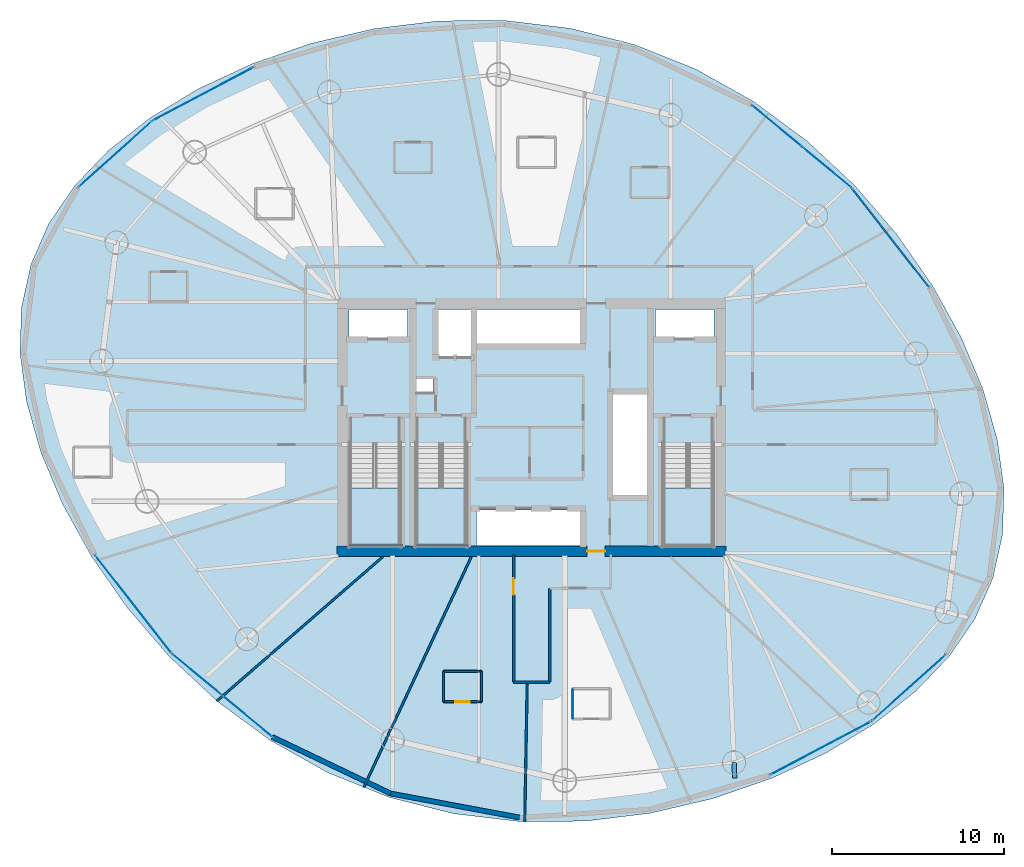
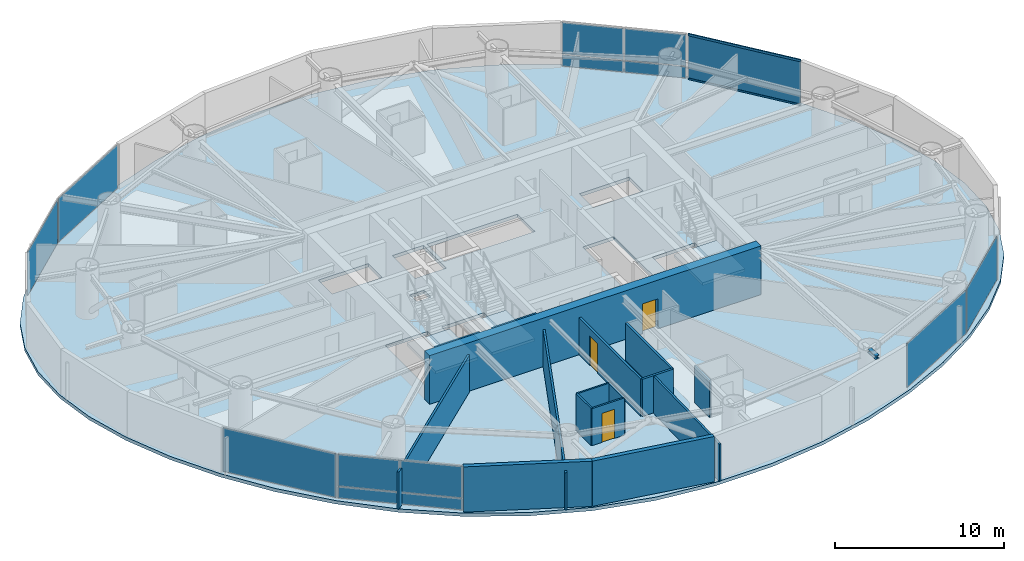
# One storey, part 13 of 20: 16 walls, 14 plates, 4 slabs, 3 doors, 2 members, 1 beam, 3 openings, 11 elements without a shape of their own.
"""IFC4 building model written with IfcOpenShell, lengths in metres."""

from ifc_helpers import new_model, si_unit, direction, frame, frame_2d, origin, origin_2d, place, context, subcontext, project, spatial, polyline, rectangle, hollow_rectangle, i_section, outline, extrude, material, layer, layer_set, material_profile, profile_set, type_object, element, fill, aggregate, save


model = new_model("IFC4")

# Units and contexts
model_context = context("Model", 3, precision=1e-05, world=origin(), true_north=direction((0.0, 1.0)))
body_context = subcontext(model_context, "Body", "Model", "MODEL_VIEW")
ifc_project = project(units=[si_unit("LENGTHUNIT", "METRE"), si_unit("AREAUNIT", "SQUARE_METRE"), si_unit("VOLUMEUNIT", "CUBIC_METRE"), si_unit("PLANEANGLEUNIT", "RADIAN"), si_unit("MASSUNIT", "GRAM", prefix="KILO")], contexts=[model_context])

# Site, building, storey
site_placement = place(None, origin())
site = spatial("IfcSite", under=ifc_project, at=site_placement, CompositionType="ELEMENT")
building_placement = place(site_placement, origin())
building = spatial("IfcBuilding", under=site, at=building_placement, Name="Bramvorn Convention Spire", CompositionType="ELEMENT")
storey_placement = place(building_placement, frame((0.0, 0.0, 106.300048828125)))
storey = spatial("IfcBuildingStorey", under=building, at=storey_placement, Name="L25", CompositionType="ELEMENT", Elevation=106.300048828125)

# Beam
ifc_material_1 = material(Name="Steel CSA G40.21 Grade 350 (350W)", Category="steel")
ifc_material_profile_1 = material_profile(ifc_material_1, i_section(OverallWidth=0.25390625, OverallDepth=0.2529296875, WebThickness=0.008544921875, FlangeThickness=0.01416015625, FilletRadius=0.011962890625, at=origin_2d()))
ifc_profile_set_1 = profile_set([ifc_material_profile_1], Name="Steel CSA G40.21 Grade 350 (350W) - W250X73")
beam_type = type_object("IfcBeamType", Name="BM-W250X73", PredefinedType="BEAM", material=ifc_profile_set_1)
beam_placement = place(storey_placement, frame((49.76171875, 6.521240234375, 3.1083984375), z_axis=(0.042480016735, -0.999097316671, 0.0), x_axis=(0.999097316671, 0.042480016735, 0.0)))
element("IfcBeam", 1, at=beam_placement, inside=storey, type_object=beam_type, Name="L25 slab-edge cantilever tip beam MC15", PredefinedType="BEAM", context=body_context, shape_type="SweptSolid", body=[
    extrude(i_section(OverallWidth=0.25390625, OverallDepth=0.2529296875, WebThickness=0.008544921875, FlangeThickness=0.01416015625, FilletRadius=0.011962890625, at=origin_2d()), origin(), (0.0, 0.0, 1.0), 0.896484375),
])

# Curtain wall, members, plate
ifc_material_2 = material(Name="Anodised Bronze Unitised Curtain Wall", Category="aluminium")
ifc_layer_1 = layer(ifc_material_2, 0.179931640625)
ifc_layer_set_1 = layer_set([ifc_layer_1], Name="Anodised Bronze Unitised Curtain Wall - CW-HTL-FRIT")
curtain_wall_type = type_object("IfcCurtainWallType", Name="CW-HTL-FRIT", PredefinedType="USERDEFINED", material=ifc_layer_set_1)
curtain_wall_1_placement = place(storey_placement, origin())
curtain_wall_1 = element("IfcCurtainWall", 2, at=curtain_wall_1_placement, inside=storey, type_object=curtain_wall_type, Name="L25 fritted glass curtain wall 04", ObjectType="UNITISED CURTAIN WALL", PredefinedType="USERDEFINED")
ifc_material_3 = material(Name="Anodised Bronze Aluminium 6063-T6", Category="aluminium")
ifc_material_profile_2 = material_profile(ifc_material_3, hollow_rectangle(XDim=0.080078125, YDim=0.159912109375, WallThickness=0.00390625, InnerFilletRadius=0.0009765625, OuterFilletRadius=0.00390625, at=origin_2d()))
ifc_profile_set_2 = profile_set([ifc_material_profile_2], Name="Anodised Bronze Aluminium 6063-T6 - CWT80X160")
member_type = type_object("IfcMemberType", Name="CW-TRN-150", PredefinedType="USERDEFINED", material=ifc_profile_set_2)
member_1_placement = place(storey_placement, frame((56.650634765625, 39.85546875, 0.030029296875), z_axis=(0.614626194803, -0.788818509331, 0.0), x_axis=(0.788818509331, 0.614626194803, 0.0)))
member_1 = element("IfcMember", 3, at=member_1_placement, type_object=member_type, Name="CW2 transom 1.1", ObjectType="TRANSOM", PredefinedType="USERDEFINED", context=body_context, shape_type="SweptSolid", body=[
    extrude(hollow_rectangle(XDim=0.080078125, YDim=0.159912109375, WallThickness=0.00390625, InnerFilletRadius=0.0009765625, OuterFilletRadius=0.00390625, at=origin_2d()), origin(), (0.0, 0.0, 1.0), 7.171875),
])
member_2_placement = place(storey_placement, frame((56.650634765625, 39.85546875, 3.22998046875), z_axis=(0.614626194803, -0.788818509331, 0.0), x_axis=(0.788818509331, 0.614626194803, 0.0)))
member_2 = element("IfcMember", 4, at=member_2_placement, type_object=member_type, Name="CW2 transom 1.2", ObjectType="TRANSOM", PredefinedType="USERDEFINED", context=body_context, shape_type="SweptSolid", body=[
    extrude(hollow_rectangle(XDim=0.080078125, YDim=0.159912109375, WallThickness=0.00390625, InnerFilletRadius=0.0009765625, OuterFilletRadius=0.00390625, at=origin_2d()), origin(), (0.0, 0.0, 1.0), 7.171875),
])
ifc_material_4 = material(Name="Laminated Low-E Glass (Triple IGU Tapered Ceramic Frit 40%)", Category="glass")
ifc_layer_2 = layer(ifc_material_4, 0.0380859375)
ifc_layer_set_2 = layer_set([ifc_layer_2], Name="Laminated Low-E Glass (Triple IGU Tapered Ceramic Frit 40%) - PNL-IGU-2")
plate_type = type_object("IfcPlateType", Name="PNL-IGU-2", PredefinedType="CURTAIN_PANEL", material=ifc_layer_set_2)
plate_1_placement = place(storey_placement, frame((58.854736328125, 37.02685546875, 0.06005859375), z_axis=(0.0, 0.0, 1.0), x_axis=(0.614623977488, -0.788820236998, 0.0)))
plate_1 = element("IfcPlate", 5, at=plate_1_placement, type_object=plate_type, Name="CW2 panel 1.1", PredefinedType="CURTAIN_PANEL", context=body_context, shape_type="SweptSolid", body=[
    extrude(rectangle(XDim=7.171875, YDim=0.028076171875, at=origin_2d()), origin(), (0.0, 0.0, 1.0), 3.139892578125),
])
aggregate(curtain_wall_1, [member_1, member_2, plate_1])

# Curtain wall, plates
curtain_wall_2_placement = place(storey_placement, origin())
curtain_wall_2 = element("IfcCurtainWall", 6, at=curtain_wall_2_placement, inside=storey, type_object=curtain_wall_type, Name="L25 fritted glass curtain wall 05", ObjectType="UNITISED CURTAIN WALL", PredefinedType="USERDEFINED")
plate_2_placement = place(storey_placement, frame((52.25439453125, 43.515625, 0.059814453125), z_axis=(0.0, 0.0, 1.0), x_axis=(0.769957578539, -0.638095076967, 0.0)))
plate_2 = element("IfcPlate", 7, at=plate_2_placement, type_object=plate_type, Name="CW2 panel 1.1", PredefinedType="CURTAIN_PANEL", context=body_context, shape_type="SweptSolid", body=[
    extrude(rectangle(XDim=3.694580078125, YDim=0.028076171875, at=origin_2d()), origin(), (0.0, 0.0, 1.0), 0.81005859375),
])
plate_3_placement = place(storey_placement, frame((52.25439453125, 43.515625, 0.929931640625), z_axis=(0.0, 0.0, 1.0), x_axis=(0.769957578539, -0.638095076967, 0.0)))
plate_3 = element("IfcPlate", 8, at=plate_3_placement, type_object=plate_type, Name="CW2 panel 1.2", PredefinedType="CURTAIN_PANEL", context=body_context, shape_type="SweptSolid", body=[
    extrude(rectangle(XDim=3.694580078125, YDim=0.028076171875, at=origin_2d()), origin(), (0.0, 0.0, 1.0), 2.27001953125),
])
plate_4_placement = place(storey_placement, frame((55.145263671875, 41.119873046875, 0.059814453125), z_axis=(0.0, 0.0, 1.0), x_axis=(0.769957578539, -0.638095076967, 0.0)))
plate_4 = element("IfcPlate", 9, at=plate_4_placement, type_object=plate_type, Name="CW2 panel 2.1", PredefinedType="CURTAIN_PANEL", context=body_context, shape_type="SweptSolid", body=[
    extrude(rectangle(XDim=3.694580078125, YDim=0.028076171875, at=origin_2d()), origin(), (0.0, 0.0, 1.0), 0.81005859375),
])
plate_5_placement = place(storey_placement, frame((55.145263671875, 41.119873046875, 0.929931640625), z_axis=(0.0, 0.0, 1.0), x_axis=(0.769957578539, -0.638095076967, 0.0)))
plate_5 = element("IfcPlate", 10, at=plate_5_placement, type_object=plate_type, Name="CW2 panel 2.2", PredefinedType="CURTAIN_PANEL", context=body_context, shape_type="SweptSolid", body=[
    extrude(rectangle(XDim=3.694580078125, YDim=0.028076171875, at=origin_2d()), origin(), (0.0, 0.0, 1.0), 2.27001953125),
])
aggregate(curtain_wall_2, [plate_2, plate_3, plate_4, plate_5])

# Curtain wall, plate
curtain_wall_3_placement = place(storey_placement, origin())
curtain_wall_3 = element("IfcCurtainWall", 11, at=curtain_wall_3_placement, inside=storey, type_object=curtain_wall_type, Name="L25 fritted glass curtain wall 10", ObjectType="UNITISED CURTAIN WALL", PredefinedType="USERDEFINED")
plate_6_placement = place(storey_placement, frame((18.913330078125, 45.379638671875, 0.06005859375), z_axis=(0.0, 0.0, 1.0), x_axis=(0.884073509717, 0.46734786767, 0.0)))
plate_6 = element("IfcPlate", 12, at=plate_6_placement, type_object=plate_type, Name="CW2 panel 1.1", PredefinedType="CURTAIN_PANEL", context=body_context, shape_type="SweptSolid", body=[
    extrude(rectangle(XDim=6.545166015625, YDim=0.028076171875, at=origin_2d()), origin(), (0.0, 0.0, 1.0), 3.139892578125),
])
aggregate(curtain_wall_3, [plate_6])

curtain_wall_4_placement = place(storey_placement, origin())
curtain_wall_4 = element("IfcCurtainWall", 13, at=curtain_wall_4_placement, inside=storey, type_object=curtain_wall_type, Name="L25 fritted glass curtain wall 11", ObjectType="UNITISED CURTAIN WALL", PredefinedType="USERDEFINED")
plate_7_placement = place(storey_placement, frame((13.800537109375, 41.877685546875, 0.06005859375), z_axis=(0.0, 0.0, 1.0), x_axis=(0.744220831373, 0.66793364502, 0.0)))
plate_7 = element("IfcPlate", 14, at=plate_7_placement, type_object=plate_type, Name="CW2 panel 1.1", PredefinedType="CURTAIN_PANEL", context=body_context, shape_type="SweptSolid", body=[
    extrude(rectangle(XDim=5.70263671875, YDim=0.028076171875, at=origin_2d()), origin(), (0.0, 0.0, 1.0), 3.139892578125),
])
aggregate(curtain_wall_4, [plate_7])

curtain_wall_5_placement = place(storey_placement, origin())
curtain_wall_5 = element("IfcCurtainWall", 15, at=curtain_wall_5_placement, inside=storey, type_object=curtain_wall_type, Name="L25 fritted glass curtain wall 16", ObjectType="UNITISED CURTAIN WALL", PredefinedType="USERDEFINED")
plate_8_placement = place(storey_placement, frame((14.863525390625, 15.716796875, 0.06005859375), z_axis=(0.0, 0.0, 1.0), x_axis=(-0.614617328571, 0.78882541758, 0.0)))
plate_8 = element("IfcPlate", 16, at=plate_8_placement, type_object=plate_type, Name="CW2 panel 1.1", PredefinedType="CURTAIN_PANEL", context=body_context, shape_type="SweptSolid", body=[
    extrude(rectangle(XDim=7.171875, YDim=0.028076171875, at=origin_2d()), origin(), (0.0, 0.0, 1.0), 3.139892578125),
])
aggregate(curtain_wall_5, [plate_8])

# Curtain wall, plates
curtain_wall_6_placement = place(storey_placement, origin())
curtain_wall_6 = element("IfcCurtainWall", 17, at=curtain_wall_6_placement, inside=storey, type_object=curtain_wall_type, Name="L25 fritted glass curtain wall 17", ObjectType="UNITISED CURTAIN WALL", PredefinedType="USERDEFINED")
plate_9_placement = place(storey_placement, frame((21.4638671875, 9.22802734375, 0.059814453125), z_axis=(0.0, 0.0, 1.0), x_axis=(-0.769964069373, 0.63808724472, 0.0)))
plate_9 = element("IfcPlate", 18, at=plate_9_placement, type_object=plate_type, Name="CW2 panel 1.1", PredefinedType="CURTAIN_PANEL", context=body_context, shape_type="SweptSolid", body=[
    extrude(rectangle(XDim=3.694580078125, YDim=0.028076171875, at=origin_2d()), origin(), (0.0, 0.0, 1.0), 0.81005859375),
])
plate_10_placement = place(storey_placement, frame((21.4638671875, 9.22802734375, 0.929931640625), z_axis=(0.0, 0.0, 1.0), x_axis=(-0.769964069373, 0.63808724472, 0.0)))
plate_10 = element("IfcPlate", 19, at=plate_10_placement, type_object=plate_type, Name="CW2 panel 1.2", PredefinedType="CURTAIN_PANEL", context=body_context, shape_type="SweptSolid", body=[
    extrude(rectangle(XDim=3.694580078125, YDim=0.028076171875, at=origin_2d()), origin(), (0.0, 0.0, 1.0), 2.27001953125),
])
plate_11_placement = place(storey_placement, frame((18.57275390625, 11.623779296875, 0.059814453125), z_axis=(0.0, 0.0, 1.0), x_axis=(-0.769964069373, 0.63808724472, 0.0)))
plate_11 = element("IfcPlate", 20, at=plate_11_placement, type_object=plate_type, Name="CW2 panel 2.1", PredefinedType="CURTAIN_PANEL", context=body_context, shape_type="SweptSolid", body=[
    extrude(rectangle(XDim=3.694580078125, YDim=0.028076171875, at=origin_2d()), origin(), (0.0, 0.0, 1.0), 0.81005859375),
])
plate_12_placement = place(storey_placement, frame((18.57275390625, 11.623779296875, 0.929931640625), z_axis=(0.0, 0.0, 1.0), x_axis=(-0.769964069373, 0.63808724472, 0.0)))
plate_12 = element("IfcPlate", 21, at=plate_12_placement, type_object=plate_type, Name="CW2 panel 2.2", PredefinedType="CURTAIN_PANEL", context=body_context, shape_type="SweptSolid", body=[
    extrude(rectangle(XDim=3.694580078125, YDim=0.028076171875, at=origin_2d()), origin(), (0.0, 0.0, 1.0), 2.27001953125),
])
aggregate(curtain_wall_6, [plate_9, plate_10, plate_11, plate_12])

# Curtain wall, plate
curtain_wall_7_placement = place(storey_placement, origin())
curtain_wall_7 = element("IfcCurtainWall", 22, at=curtain_wall_7_placement, inside=storey, type_object=curtain_wall_type, Name="L25 fritted glass curtain wall 22", ObjectType="UNITISED CURTAIN WALL", PredefinedType="USERDEFINED")
plate_13_placement = place(storey_placement, frame((54.8046875, 7.364013671875, 0.06005859375), z_axis=(0.0, 0.0, 1.0), x_axis=(-0.884067310641, -0.467359594162, 0.0)))
plate_13 = element("IfcPlate", 23, at=plate_13_placement, type_object=plate_type, Name="CW2 panel 1.1", PredefinedType="CURTAIN_PANEL", context=body_context, shape_type="SweptSolid", body=[
    extrude(rectangle(XDim=6.545166015625, YDim=0.028076171875, at=origin_2d()), origin(), (0.0, 0.0, 1.0), 3.139892578125),
])
aggregate(curtain_wall_7, [plate_13])

curtain_wall_8_placement = place(storey_placement, origin())
curtain_wall_8 = element("IfcCurtainWall", 24, at=curtain_wall_8_placement, inside=storey, type_object=curtain_wall_type, Name="L25 fritted glass curtain wall 23", ObjectType="UNITISED CURTAIN WALL", PredefinedType="USERDEFINED")
plate_14_placement = place(storey_placement, frame((59.91748046875, 10.865966796875, 0.06005859375), z_axis=(0.0, 0.0, 1.0), x_axis=(-0.744220831373, -0.66793364502, 0.0)))
plate_14 = element("IfcPlate", 25, at=plate_14_placement, type_object=plate_type, Name="CW2 panel 1.1", PredefinedType="CURTAIN_PANEL", context=body_context, shape_type="SweptSolid", body=[
    extrude(rectangle(XDim=5.70263671875, YDim=0.028076171875, at=origin_2d()), origin(), (0.0, 0.0, 1.0), 3.139892578125),
])
aggregate(curtain_wall_8, [plate_14])

# Stair, slab
ifc_material_5 = material(Name="Concrete C40/50 Precast Stair", Category="concrete")
stair_type = type_object("IfcStairType", Name="ST-TOWER-1550", PredefinedType="HALF_TURN_STAIR", material=ifc_material_5)
stair_1_placement = place(storey_placement, origin())
stair_1 = element("IfcStair", 26, at=stair_1_placement, inside=storey, type_object=stair_type, Name="L25 Protected Exit Stair ST1", PredefinedType="HALF_TURN_STAIR")
ifc_material_6 = material(Name="Concrete C40/50 Stair Landing", Category="concrete")
ifc_layer_3 = layer(ifc_material_6, 0.219970703125)
ifc_layer_set_3 = layer_set([ifc_layer_3], Name="Concrete C40/50 Stair Landing - SLB-STAIR-LANDING")
slab_type_1 = type_object("IfcSlabType", Name="SLB-STAIR-LANDING", PredefinedType="LANDING", material=ifc_layer_set_3)
slab_1_placement = place(storey_placement, frame((0.0, 0.0, 1.550048828125)))
slab_1 = element("IfcSlab", 27, at=slab_1_placement, type_object=slab_type_1, Name="ST1 landing 1", PredefinedType="LANDING", context=body_context, shape_type="SweptSolid", body=[
    extrude(outline(polyline([(27.449951171875, 22.485107421875), (27.449951171875, 19.10009765625), (30.35009765625, 19.10009765625), (30.35009765625, 22.485107421875), (27.449951171875, 22.485107421875)])), origin(), (0.0, 0.0, 1.0), 0.199951171875),
])
aggregate(stair_1, [slab_1])

stair_2_placement = place(storey_placement, origin())
stair_2 = element("IfcStair", 28, at=stair_2_placement, inside=storey, type_object=stair_type, Name="L25 Protected Exit Stair ST2", PredefinedType="HALF_TURN_STAIR")
slab_2_placement = place(storey_placement, frame((0.0, 0.0, 1.550048828125)))
slab_2 = element("IfcSlab", 29, at=slab_2_placement, type_object=slab_type_1, Name="ST2 landing 1", PredefinedType="LANDING", context=body_context, shape_type="SweptSolid", body=[
    extrude(outline(polyline([(45.64990234375, 22.485107421875), (45.64990234375, 19.10009765625), (48.550048828125, 19.10009765625), (48.550048828125, 22.485107421875), (45.64990234375, 22.485107421875)])), origin(), (0.0, 0.0, 1.0), 0.199951171875),
])
aggregate(stair_2, [slab_2])

stair_3_placement = place(storey_placement, origin())
stair_3 = element("IfcStair", 30, at=stair_3_placement, inside=storey, type_object=stair_type, Name="L25 Protected Exit Stair ST3", PredefinedType="HALF_TURN_STAIR")
slab_3_placement = place(storey_placement, frame((0.0, 0.0, 1.550048828125)))
slab_3 = element("IfcSlab", 31, at=slab_3_placement, type_object=slab_type_1, Name="ST3 landing 1", PredefinedType="LANDING", context=body_context, shape_type="SweptSolid", body=[
    extrude(outline(polyline([(31.300048828125, 22.485107421875), (31.300048828125, 19.10009765625), (34.199951171875, 19.10009765625), (34.199951171875, 22.485107421875), (31.300048828125, 22.485107421875)])), origin(), (0.0, 0.0, 1.0), 0.199951171875),
])
aggregate(stair_3, [slab_3])

# Slab
ifc_material_7 = material(Name="Concrete C50/60", Category="concrete")
ifc_layer_4 = layer(ifc_material_7, 0.239990234375)
ifc_layer_set_4 = layer_set([ifc_layer_4], Name="Concrete C50/60 - SLB-Z2-240")
slab_type_2 = type_object("IfcSlabType", Name="SLB-Z2-240", PredefinedType="FLOOR", material=ifc_layer_set_4)
slab_4_placement = place(storey_placement, frame((0.0, 0.0, -0.239990234375)))
element("IfcSlab", 32, at=slab_4_placement, inside=storey, type_object=slab_type_2, Name="L25 tower floor slab", PredefinedType="FLOOR", context=body_context, shape_type="SweptSolid", body=[
    extrude(outline(polyline([(64.812255859375, 17.26220703125), (65.367919921875, 19.779296875), (65.449462890625, 22.451171875), (65.067138671875, 25.267333984375), (64.235107421875, 28.20361328125), (62.97021484375, 31.218017578125), (61.29150390625, 34.25048828125), (59.22021484375, 37.225830078125), (56.77978515625, 40.05712890625), (53.99853515625, 42.654296875), (50.910400390625, 44.93115234375), (47.556640625, 46.812744140625), (43.98681640625, 48.24365234375), (40.25927734375, 49.19091796875), (36.44091796875, 49.646484375), (32.60400390625, 49.62646484375), (28.82666015625, 49.16650390625), (25.1865234375, 48.31689453125), (21.760009765625, 47.13330078125), (18.61669921875, 45.672119140625), (15.81884765625, 43.981689453125), (13.41650390625, 42.099609375), (11.4482421875, 40.04931640625), (9.93994140625, 37.842529296875), (8.906005859375, 35.481201171875), (8.35009765625, 32.96435546875), (8.2685546875, 30.29248046875), (8.65087890625, 27.476318359375), (9.483154296875, 24.5400390625), (10.747802734375, 21.525634765625), (12.426513671875, 18.4931640625), (14.497802734375, 15.517822265625), (16.938232421875, 12.6865234375), (19.719482421875, 10.08935546875), (22.8076171875, 7.8125), (26.16162109375, 5.930908203125), (29.731201171875, 4.5), (33.458740234375, 3.552734375), (37.27734375, 3.09716796875), (41.114013671875, 3.1171875), (44.8916015625, 3.576904296875), (48.531494140625, 4.4267578125), (51.958251953125, 5.6103515625), (55.101318359375, 7.071533203125), (57.8994140625, 8.761962890625), (60.301513671875, 10.64404296875), (62.27001953125, 12.6943359375), (63.7783203125, 14.901123046875), (64.812255859375, 17.26220703125)]), holes=[polyline([(27.449951171875, 25.050048828125), (27.449951171875, 19.10009765625), (30.35009765625, 19.10009765625), (30.35009765625, 25.050048828125), (27.449951171875, 25.050048828125)]), polyline([(45.64990234375, 25.050048828125), (45.64990234375, 19.10009765625), (48.550048828125, 19.10009765625), (48.550048828125, 25.050048828125), (45.64990234375, 25.050048828125)]), polyline([(31.300048828125, 25.050048828125), (31.300048828125, 19.10009765625), (34.199951171875, 19.10009765625), (34.199951171875, 25.050048828125), (31.300048828125, 25.050048828125)]), polyline([(27.39990234375, 31.219970703125), (30.800048828125, 31.219970703125), (30.800048828125, 32.85009765625), (27.39990234375, 32.85009765625), (27.39990234375, 31.219970703125)]), polyline([(45.199951171875, 31.219970703125), (48.60009765625, 31.219970703125), (48.60009765625, 32.85009765625), (45.199951171875, 32.85009765625), (45.199951171875, 31.219970703125)]), polyline([(32.449951171875, 30.14990234375), (34.56005859375, 30.14990234375), (34.56005859375, 32.85009765625), (32.449951171875, 32.85009765625), (32.449951171875, 30.14990234375)]), polyline([(34.800048828125, 30.800048828125), (40.97998046875, 30.800048828125), (40.97998046875, 32.85009765625), (34.800048828125, 32.85009765625), (34.800048828125, 30.800048828125)]), polyline([(34.800048828125, 19.14990234375), (40.97998046875, 19.14990234375), (40.97998046875, 21.199951171875), (34.800048828125, 21.199951171875), (34.800048828125, 19.14990234375)]), polyline([(42.6201171875, 22.0), (44.75, 22.0), (44.75, 28.0), (42.6201171875, 28.0), (42.6201171875, 22.0)]), polyline([(31.320068359375, 28.02001953125), (32.280029296875, 28.02001953125), (32.280029296875, 28.820068359375), (31.320068359375, 28.820068359375), (31.320068359375, 28.02001953125)])]), origin(), (0.0, 0.0, 1.0), 0.239990234375),
])

# Wall, opening, door
ifc_material_8 = material(Name="Concrete C60/70", Category="concrete")
ifc_layer_5 = layer(ifc_material_8, 0.60009765625)
ifc_layer_set_5 = layer_set([ifc_layer_5], Name="Concrete C60/70 - WL-CORE-600")
wall_type_1 = type_object("IfcWallType", Name="WL-CORE-600", PredefinedType="SHEAR", material=ifc_layer_set_5)
wall_1_placement = place(storey_placement, frame((26.699951171875, 18.800048828125, 0.0), z_axis=(0.0, 0.0, 1.0), x_axis=(1.0, 0.0, 0.0)))
wall_1 = element("IfcWall", 33, at=wall_1_placement, inside=storey, type_object=wall_type_1, Name="L25 South RC core shear wall", PredefinedType="SHEAR", context=body_context, shape_type="SweptSolid", body=[
    extrude(rectangle(XDim=22.60009765625, YDim=0.60009765625, at=frame_2d((11.300048828125, 0.0))), origin(), (0.0, 0.0, 1.0), 3.5),
])
opening_1_placement = place(wall_1_placement, frame((14.52001953125, 0.0, 0.0)))
opening_1 = element("IfcOpeningElement", 34, at=opening_1_placement, cuts=wall_1, Name="Opening DL-105", PredefinedType="OPENING", context=body_context, shape_type="SweptSolid", body=[
    extrude(rectangle(XDim=1.050048828125, YDim=2.14990234375, at=frame_2d((0.52490234375, 1.074951171875))), frame((0.0, 0.31005859375, 0.0), z_axis=(0.0, -1.0, 0.0), x_axis=(1.0, 0.0, 0.0)), (0.0, 0.0, 1.0), 0.6201171875),
])
ifc_material_9 = material(Name="Smoke-Sealed Fire Lobby Timber-Core Door", Category="wood")
door_type_1 = type_object("IfcDoorType", Name="DR-LOBBY-1050", OperationType="NOTDEFINED", PredefinedType="DOOR", material=ifc_material_9)
door_1_placement = place(opening_1_placement, origin())
door_1 = element("IfcDoor", 35, at=door_1_placement, inside=storey, type_object=door_type_1, Name="L25 South Lift Lobby fire door", OperationType="SINGLE_SWING_RIGHT", OverallHeight=2.14990234375, OverallWidth=1.050048828125, PredefinedType="DOOR", context=body_context, shape_type="SweptSolid", body=[
    extrude(rectangle(XDim=1.050048828125, YDim=2.14990234375, at=frame_2d((0.52490234375, 1.074951171875))), frame((0.0, 0.02490234375, 0.0), z_axis=(0.0, -1.0, 0.0), x_axis=(1.0, 0.0, 0.0)), (0.0, 0.0, 1.0), 0.050048828125),
])
fill(opening_1, door_1)

# Walls
ifc_material_10 = material(Name="Precast Concrete C40/50 with Bronze Terracotta Rainscreen", Category="masonry")
ifc_layer_6 = layer(ifc_material_10, 0.300048828125)
ifc_layer_set_6 = layer_set([ifc_layer_6], Name="Precast Concrete C40/50 with Bronze Terracotta Rainscreen - WL-EXT-BRONZE-300")
wall_type_2 = type_object("IfcWallType", Name="WL-EXT-BRONZE-300", PredefinedType="SOLIDWALL", material=ifc_layer_set_6)
wall_2_placement = place(storey_placement, frame((29.804931640625, 4.725830078125, 0.0), z_axis=(0.0, 0.0, 1.0), x_axis=(-0.902222070654, 0.431271764928, 0.0)))
element("IfcWall", 36, at=wall_2_placement, inside=storey, type_object=wall_type_2, Name="L25 expressed bronze Gothic lancet pier wall 18", PredefinedType="SOLIDWALL", context=body_context, shape_type="SweptSolid", body=[
    extrude(rectangle(XDim=7.617431640625, YDim=0.280029296875, at=frame_2d((3.80859375, 0.0))), origin(), (0.0, 0.0, 1.0), 3.260009765625),
])
wall_3_placement = place(storey_placement, frame((37.293701171875, 3.330810546875, 0.0), z_axis=(0.0, 0.0, 1.0), x_axis=(-0.983088475279, 0.183131236479, 0.0)))
element("IfcWall", 37, at=wall_3_placement, inside=storey, type_object=wall_type_2, Name="L25 expressed bronze Gothic lancet pier wall 19", PredefinedType="SOLIDWALL", context=body_context, shape_type="SweptSolid", body=[
    extrude(rectangle(XDim=7.61767578125, YDim=0.280029296875, at=frame_2d((3.808837890625, 0.0))), origin(), (0.0, 0.0, 1.0), 3.260009765625),
])

# Wall, opening, door
ifc_material_11 = material(Name="Lightweight En-Suite & Wet-Wall Partition", Category="gypsum")
ifc_layer_7 = layer(ifc_material_11, 0.110107421875)
ifc_layer_set_7 = layer_set([ifc_layer_7], Name="Lightweight En-Suite & Wet-Wall Partition - WL-PART-110")
wall_type_3 = type_object("IfcWallType", Name="WL-PART-110", PredefinedType="PARTITIONING", material=ifc_layer_set_7)
wall_4_placement = place(storey_placement, frame((32.8798828125, 10.062744140625, 0.0), z_axis=(0.0, 0.0, 1.0), x_axis=(1.0, 0.0, 0.0)))
wall_4 = element("IfcWall", 38, at=wall_4_placement, inside=storey, type_object=wall_type_3, Name="Hotel Suite 2511 en-suite south wall", PredefinedType="PARTITIONING", context=body_context, shape_type="SweptSolid", body=[
    extrude(rectangle(XDim=2.199951171875, YDim=0.110107421875, at=frame_2d((1.10009765625, 0.0))), origin(), (0.0, 0.0, 1.0), 2.675048828125),
])
opening_2_placement = place(wall_4_placement, frame((0.679931640625, 0.0, 0.0)))
opening_2 = element("IfcOpeningElement", 39, at=opening_2_placement, cuts=wall_4, Name="Opening DI-085", PredefinedType="OPENING", context=body_context, shape_type="SweptSolid", body=[
    extrude(rectangle(XDim=0.85009765625, YDim=2.10009765625, at=frame_2d((0.425048828125, 1.050048828125))), frame((0.0, 0.06494140625, 0.0), z_axis=(0.0, -1.0, 0.0), x_axis=(1.0, 0.0, 0.0)), (0.0, 0.0, 1.0), 0.130126953125),
])
ifc_material_12 = material(Name="En-Suite & Restroom Privacy Door", Category="wood")
door_type_2 = type_object("IfcDoorType", Name="DR-INT-850", OperationType="NOTDEFINED", PredefinedType="DOOR", material=ifc_material_12)
door_2_placement = place(opening_2_placement, origin())
door_2 = element("IfcDoor", 40, at=door_2_placement, inside=storey, type_object=door_type_2, Name="Hotel Suite 2511 En-Suite Bathroom door", OperationType="SINGLE_SWING_LEFT", OverallHeight=2.10009765625, OverallWidth=0.85009765625, PredefinedType="DOOR", context=body_context, shape_type="SweptSolid", body=[
    extrude(rectangle(XDim=0.85009765625, YDim=2.10009765625, at=frame_2d((0.425048828125, 1.050048828125))), frame((0.0, 0.02490234375, 0.0), z_axis=(0.0, -1.0, 0.0), x_axis=(1.0, 0.0, 0.0)), (0.0, 0.0, 1.0), 0.050048828125),
])
fill(opening_2, door_2)

# Walls
wall_5_placement = place(storey_placement, frame((32.8798828125, 11.82275390625, 0.0), z_axis=(0.0, 0.0, 1.0), x_axis=(1.0, 0.0, 0.0)))
element("IfcWall", 41, at=wall_5_placement, inside=storey, type_object=wall_type_3, Name="Hotel Suite 2511 en-suite north wall", PredefinedType="PARTITIONING", context=body_context, shape_type="SweptSolid", body=[
    extrude(rectangle(XDim=2.199951171875, YDim=0.110107421875, at=frame_2d((1.10009765625, 0.0))), origin(), (0.0, 0.0, 1.0), 2.675048828125),
])
for number, where, z_axis, x_axis, name in (
    (42, (32.8798828125, 10.062744140625, 0.0), (0.0, 0.0, 1.0), (0.0, 1.0, 0.0), "Hotel Suite 2511 en-suite west wall"),
    (43, (35.079833984375, 10.062744140625, 0.0), (0.0, 0.0, 1.0), (0.0, 1.0, 0.0), "Hotel Suite 2511 en-suite east wall"),
    (44, (40.37353515625, 9.05810546875, 0.0), (0.0, 0.0, 1.0), (0.0, 1.0, 0.0), "Hotel Suite 2512 en-suite west wall"),
):
    element("IfcWall", number, at=place(storey_placement, frame(where, z_axis=z_axis, x_axis=x_axis)), inside=storey, type_object=wall_type_3, Name=name, PredefinedType="PARTITIONING", context=body_context, shape_type="SweptSolid", body=[
        extrude(rectangle(XDim=1.760009765625, YDim=0.110107421875, at=frame_2d((0.8798828125, 0.0))), origin(), (0.0, 0.0, 1.0), 2.675048828125),
    ])
ifc_material_13 = material(Name="Metal-Stud Demountable Office Partition", Category="gypsum")
ifc_layer_8 = layer(ifc_material_13, 0.1298828125)
ifc_layer_set_8 = layer_set([ifc_layer_8], Name="Metal-Stud Demountable Office Partition - WL-PART-130")
wall_type_4 = type_object("IfcWallType", Name="WL-PART-130", PredefinedType="PARTITIONING", material=ifc_layer_set_8)
wall_6_placement = place(storey_placement, frame((29.34912109375, 18.47998046875, 0.0), z_axis=(0.0, 0.0, 1.0), x_axis=(-0.754706894701, -0.656062118317, 0.0)))
element("IfcWall", 45, at=wall_6_placement, inside=storey, type_object=wall_type_4, Name="L25 Guestroom demising wall 10", PredefinedType="PARTITIONING", context=body_context, shape_type="SweptSolid", body=[
    extrude(rectangle(XDim=12.805419921875, YDim=0.1298828125, at=frame_2d((6.40283203125, 0.0))), origin(), (0.0, 0.0, 1.0), 2.675048828125),
])
wall_7_placement = place(storey_placement, frame((34.493408203125, 18.47998046875, 0.0), z_axis=(0.0, 0.0, 1.0), x_axis=(-0.422624514594, -0.906304871257, 0.0)))
element("IfcWall", 46, at=wall_7_placement, inside=storey, type_object=wall_type_4, Name="L25 Guestroom demising wall 11", PredefinedType="PARTITIONING", context=body_context, shape_type="SweptSolid", body=[
    extrude(rectangle(XDim=14.802978515625, YDim=0.1298828125, at=frame_2d((7.4013671875, 0.0))), origin(), (0.0, 0.0, 1.0), 2.675048828125),
])
wall_8_placement = place(storey_placement, frame((37.7392578125, 11.06005859375, 0.0), z_axis=(0.0, 0.0, 1.0), x_axis=(-0.017468317737, -0.999847417297, 0.0)))
element("IfcWall", 47, at=wall_8_placement, inside=storey, type_object=wall_type_4, Name="L25 Guestroom demising wall 12", PredefinedType="PARTITIONING", context=body_context, shape_type="SweptSolid", body=[
    extrude(rectangle(XDim=7.994384765625, YDim=0.1298828125, at=frame_2d((3.9970703125, 0.0))), origin(), (0.0, 0.0, 1.0), 2.675048828125),
])

# Wall, opening, door
ifc_material_14 = material(Name="Acoustic Metal-Stud Tenant/Corridor Partition", Category="gypsum")
ifc_layer_9 = layer(ifc_material_14, 0.14990234375)
ifc_layer_set_9 = layer_set([ifc_layer_9], Name="Acoustic Metal-Stud Tenant/Corridor Partition - WL-PART-150")
wall_type_5 = type_object("IfcWallType", Name="WL-PART-150", PredefinedType="PARTITIONING", material=ifc_layer_set_9)
wall_9_placement = place(storey_placement, frame((36.949951171875, 11.199951171875, 0.0), z_axis=(0.0, 0.0, 1.0), x_axis=(0.0, 1.0, 0.0)))
wall_9 = element("IfcWall", 48, at=wall_9_placement, inside=storey, type_object=wall_type_5, Name="L25 South axial spine west wall", PredefinedType="PARTITIONING", context=body_context, shape_type="SweptSolid", body=[
    extrude(rectangle(XDim=7.400146484375, YDim=0.14990234375, at=frame_2d((3.7001953125, 0.0))), origin(), (0.0, 0.0, 1.0), 2.675048828125),
])
opening_3_placement = place(wall_9_placement, frame((5.074951171875, 0.0, 0.0)))
opening_3 = element("IfcOpeningElement", 49, at=opening_3_placement, cuts=wall_9, Name="Opening DH-095", PredefinedType="OPENING", context=body_context, shape_type="SweptSolid", body=[
    extrude(rectangle(XDim=0.949951171875, YDim=2.14990234375, at=frame_2d((0.47509765625, 1.074951171875))), frame((0.0, 0.0849609375, 0.0), z_axis=(0.0, -1.0, 0.0), x_axis=(1.0, 0.0, 0.0)), (0.0, 0.0, 1.0), 0.169921875),
])
ifc_material_15 = material(Name="Solid-Core Acoustic Guestroom Entry Door", Category="wood")
door_type_3 = type_object("IfcDoorType", Name="DR-HOTEL-950", OperationType="NOTDEFINED", PredefinedType="DOOR", material=ifc_material_15)
door_3_placement = place(opening_3_placement, origin())
door_3 = element("IfcDoor", 50, at=door_3_placement, inside=storey, type_object=door_type_3, Name="Hotel Suite 2511 entry door", OperationType="SINGLE_SWING_RIGHT", OverallHeight=2.14990234375, OverallWidth=0.949951171875, PredefinedType="DOOR", context=body_context, shape_type="SweptSolid", body=[
    extrude(rectangle(XDim=0.949951171875, YDim=2.14990234375, at=frame_2d((0.47509765625, 1.074951171875))), frame((0.0, 0.02490234375, 0.0), z_axis=(0.0, -1.0, 0.0), x_axis=(1.0, 0.0, 0.0)), (0.0, 0.0, 1.0), 0.050048828125),
])
fill(opening_3, door_3)

# Walls
wall_10_placement = place(storey_placement, frame((39.050048828125, 11.199951171875, 0.0), z_axis=(0.0, 0.0, 1.0), x_axis=(0.0, 1.0, 0.0)))
element("IfcWall", 51, at=wall_10_placement, inside=storey, type_object=wall_type_5, Name="L25 South axial spine east wall", PredefinedType="PARTITIONING", context=body_context, shape_type="SweptSolid", body=[
    extrude(rectangle(XDim=5.449951171875, YDim=0.14990234375, at=frame_2d((2.72509765625, 0.0))), origin(), (0.0, 0.0, 1.0), 2.675048828125),
])
wall_11_placement = place(storey_placement, frame((36.949951171875, 11.199951171875, 0.0), z_axis=(0.0, 0.0, 1.0), x_axis=(1.0, 0.0, 0.0)))
element("IfcWall", 52, at=wall_11_placement, inside=storey, type_object=wall_type_5, Name="L25 South axial spine end wall", PredefinedType="PARTITIONING", context=body_context, shape_type="SweptSolid", body=[
    extrude(rectangle(XDim=2.10009765625, YDim=0.14990234375, at=frame_2d((1.050048828125, 0.0))), origin(), (0.0, 0.0, 1.0), 2.675048828125),
])
ifc_layer_10 = layer(ifc_material_7, 0.1201171875)
ifc_layer_set_10 = layer_set([ifc_layer_10], Name="Concrete C50/60 - WL-STAIR-RC-120")
wall_type_6 = type_object("IfcWallType", Name="WL-STAIR-RC-120", PredefinedType="SHEAR", material=ifc_layer_set_10)
wall_12_placement = place(storey_placement, frame((27.39501953125, 19.159912109375, 0.0), z_axis=(0.0, 0.0, 1.0), x_axis=(1.0, 0.0, 0.0)))
element("IfcWall", 53, at=wall_12_placement, inside=storey, type_object=wall_type_6, Name="L25 ST1 south bearing shear wall", PredefinedType="SHEAR", context=body_context, shape_type="SweptSolid", body=[
    extrude(rectangle(XDim=3.094970703125, YDim=0.1201171875, at=frame_2d((1.54736328125, 0.0))), origin(), (0.0, 0.0, 1.0), 3.5),
])
wall_13_placement = place(storey_placement, frame((31.300048828125, 19.159912109375, 0.0), z_axis=(0.0, 0.0, 1.0), x_axis=(1.0, 0.0, 0.0)))
element("IfcWall", 54, at=wall_13_placement, inside=storey, type_object=wall_type_6, Name="L25 ST3 south bearing shear wall", PredefinedType="SHEAR", context=body_context, shape_type="SweptSolid", body=[
    extrude(rectangle(XDim=3.0400390625, YDim=0.1201171875, at=frame_2d((1.52001953125, 0.0))), origin(), (0.0, 0.0, 1.0), 3.5),
])

save(model, "model.ifc")
